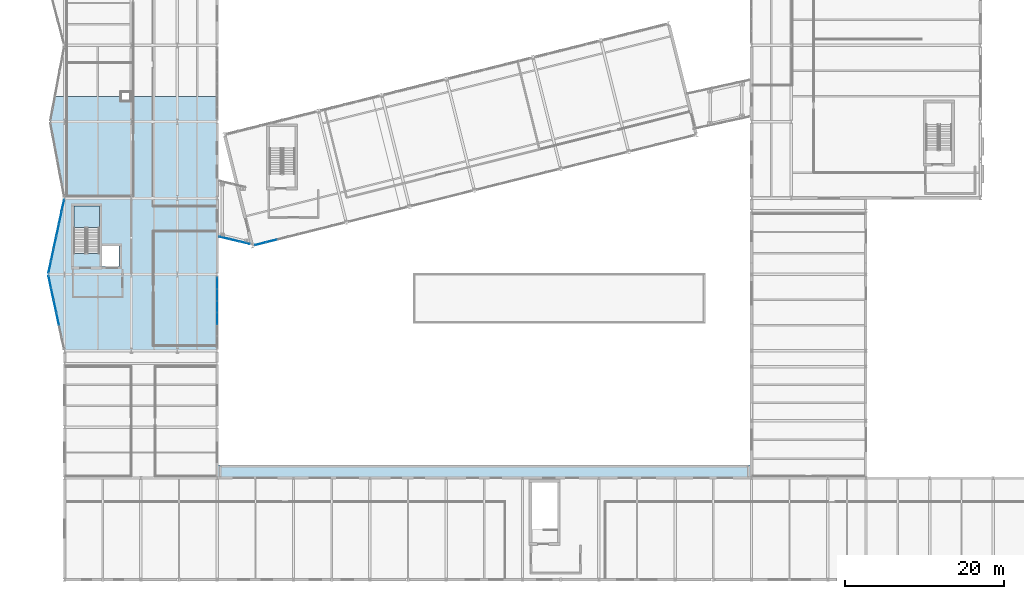
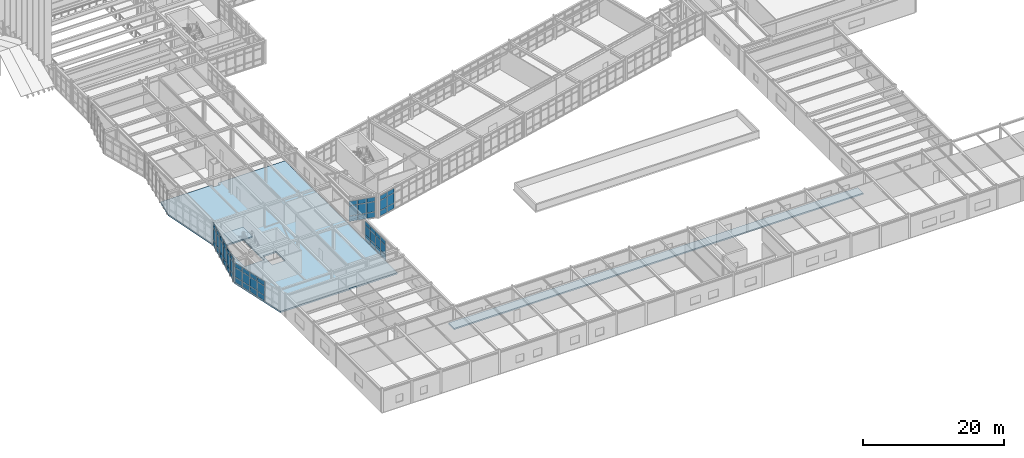
# One storey, part 58 of 99: 57 plates, 3 slabs, 6 elements without a shape of their own.
"""IFC4 building model written with IfcOpenShell, lengths in metres."""

from ifc_helpers import new_model, si_unit, direction, frame, origin, origin_2d, place, context, subcontext, project, spatial, polyline, rectangle, outline, extrude, material, layer, layer_set, type_object, element, aggregate, save


model = new_model("IFC4")

# Units and contexts
model_context = context("Model", 3, precision=1e-05, world=origin(), true_north=direction((0.0, 1.0)))
body_context = subcontext(model_context, "Body", "Model", "MODEL_VIEW")
ifc_project = project(units=[si_unit("LENGTHUNIT", "METRE"), si_unit("AREAUNIT", "SQUARE_METRE"), si_unit("VOLUMEUNIT", "CUBIC_METRE"), si_unit("PLANEANGLEUNIT", "RADIAN"), si_unit("MASSUNIT", "GRAM", prefix="KILO")], contexts=[model_context])

# Site, building, storey
site_placement = place(None, origin())
site = spatial("IfcSite", under=ifc_project, at=site_placement, CompositionType="ELEMENT")
building_placement = place(site_placement, origin())
building = spatial("IfcBuilding", under=site, at=building_placement, Name="Nordkorset Police Headquarters", CompositionType="ELEMENT")
storey_placement = place(building_placement, frame((0.0, 0.0, 5.25)))
storey = spatial("IfcBuildingStorey", under=building, at=storey_placement, Name="L01", CompositionType="ELEMENT", Elevation=5.25)

# Curtain wall, plates
ifc_material_1 = material(Name="Aluminium alloy AW-6060", Category="aluminium")
ifc_layer_1 = layer(ifc_material_1, 0.179931640625, Name="Aluminium alloy AW-6060")
ifc_layer_set_1 = layer_set([ifc_layer_1], Name="Aluminium alloy AW-6060")
curtain_wall_type_1 = type_object("IfcCurtainWallType", Name="CW_Unit_954x350", PredefinedType="USERDEFINED", material=ifc_layer_set_1)
curtain_wall_1_placement = place(storey_placement, origin())
curtain_wall_1 = element("IfcCurtainWall", 1, at=curtain_wall_1_placement, inside=storey, type_object=curtain_wall_type_1, Name="Unitised Curtain Wall L01 V3W-0", ObjectType="UNITISED CURTAIN WALL", PredefinedType="USERDEFINED")
ifc_material_2 = material(Name="Low-iron triple glazing", Category="glass")
ifc_layer_2 = layer(ifc_material_2, 0.035888671875, Name="Low-iron triple glazing")
ifc_layer_set_2 = layer_set([ifc_layer_2], Name="Low-iron triple glazing")
plate_type = type_object("IfcPlateType", Name="CW_Panel_TripleGlazing_36", PredefinedType="CURTAIN_PANEL", material=ifc_layer_set_2)
plate_1_placement = place(storey_placement, frame((-0.859130859375, 32.82275390625, 0.06494140625), z_axis=(0.0, 0.0, 1.0), x_axis=(-0.208832534289, 0.977951416289, 0.0)))
plate_1 = element("IfcPlate", 2, at=plate_1_placement, type_object=plate_type, Name="CW-63 panel 3.1", PredefinedType="CURTAIN_PANEL", context=body_context, shape_type="SweptSolid", body=[
    extrude(rectangle(XDim=1.5244140625, YDim=0.035888671875, at=origin_2d()), origin(), (0.0, 0.0, 1.0), 0.902587890625),
])
plate_2_placement = place(storey_placement, frame((-0.859130859375, 32.82275390625, 1.032470703125), z_axis=(0.0, 0.0, 1.0), x_axis=(-0.208832534289, 0.977951416289, 0.0)))
plate_2 = element("IfcPlate", 3, at=plate_2_placement, type_object=plate_type, Name="CW-63 panel 3.2", PredefinedType="CURTAIN_PANEL", context=body_context, shape_type="SweptSolid", body=[
    extrude(rectangle(XDim=1.5244140625, YDim=0.035888671875, at=origin_2d()), origin(), (0.0, 0.0, 1.0), 1.5849609375),
])
plate_3_placement = place(storey_placement, frame((-0.859130859375, 32.82275390625, 2.6826171875), z_axis=(0.0, 0.0, 1.0), x_axis=(-0.208832534289, 0.977951416289, 0.0)))
plate_3 = element("IfcPlate", 4, at=plate_3_placement, type_object=plate_type, Name="CW-63 panel 3.3", PredefinedType="CURTAIN_PANEL", context=body_context, shape_type="SweptSolid", body=[
    extrude(rectangle(XDim=1.5244140625, YDim=0.035888671875, at=origin_2d()), origin(), (0.0, 0.0, 1.0), 0.75244140625),
])
plate_4_placement = place(storey_placement, frame((-1.19091796875, 34.377197265625, 0.06494140625), z_axis=(0.0, 0.0, 1.0), x_axis=(-0.208832534289, 0.977951416289, 0.0)))
plate_4 = element("IfcPlate", 5, at=plate_4_placement, type_object=plate_type, Name="CW-63 panel 4.1", PredefinedType="CURTAIN_PANEL", context=body_context, shape_type="SweptSolid", body=[
    extrude(rectangle(XDim=1.5244140625, YDim=0.035888671875, at=origin_2d()), origin(), (0.0, 0.0, 1.0), 0.902587890625),
])
plate_5_placement = place(storey_placement, frame((-1.19091796875, 34.377197265625, 1.032470703125), z_axis=(0.0, 0.0, 1.0), x_axis=(-0.208832534289, 0.977951416289, 0.0)))
plate_5 = element("IfcPlate", 6, at=plate_5_placement, type_object=plate_type, Name="CW-63 panel 4.2", PredefinedType="CURTAIN_PANEL", context=body_context, shape_type="SweptSolid", body=[
    extrude(rectangle(XDim=1.5244140625, YDim=0.035888671875, at=origin_2d()), origin(), (0.0, 0.0, 1.0), 1.5849609375),
])
plate_6_placement = place(storey_placement, frame((-1.19091796875, 34.377197265625, 2.6826171875), z_axis=(0.0, 0.0, 1.0), x_axis=(-0.208832534289, 0.977951416289, 0.0)))
plate_6 = element("IfcPlate", 7, at=plate_6_placement, type_object=plate_type, Name="CW-63 panel 4.3", PredefinedType="CURTAIN_PANEL", context=body_context, shape_type="SweptSolid", body=[
    extrude(rectangle(XDim=1.5244140625, YDim=0.035888671875, at=origin_2d()), origin(), (0.0, 0.0, 1.0), 0.75244140625),
])
plate_7_placement = place(storey_placement, frame((-1.52294921875, 35.931640625, 0.06494140625), z_axis=(0.0, 0.0, 1.0), x_axis=(-0.208832534289, 0.977951416289, 0.0)))
plate_7 = element("IfcPlate", 8, at=plate_7_placement, type_object=plate_type, Name="CW-63 panel 5.1", PredefinedType="CURTAIN_PANEL", context=body_context, shape_type="SweptSolid", body=[
    extrude(rectangle(XDim=1.5244140625, YDim=0.035888671875, at=origin_2d()), origin(), (0.0, 0.0, 1.0), 0.902587890625),
])
plate_8_placement = place(storey_placement, frame((-1.52294921875, 35.931640625, 1.032470703125), z_axis=(0.0, 0.0, 1.0), x_axis=(-0.208832534289, 0.977951416289, 0.0)))
plate_8 = element("IfcPlate", 9, at=plate_8_placement, type_object=plate_type, Name="CW-63 panel 5.2", PredefinedType="CURTAIN_PANEL", context=body_context, shape_type="SweptSolid", body=[
    extrude(rectangle(XDim=1.5244140625, YDim=0.035888671875, at=origin_2d()), origin(), (0.0, 0.0, 1.0), 1.5849609375),
])
plate_9_placement = place(storey_placement, frame((-1.52294921875, 35.931640625, 2.6826171875), z_axis=(0.0, 0.0, 1.0), x_axis=(-0.208832534289, 0.977951416289, 0.0)))
plate_9 = element("IfcPlate", 10, at=plate_9_placement, type_object=plate_type, Name="CW-63 panel 5.3", PredefinedType="CURTAIN_PANEL", context=body_context, shape_type="SweptSolid", body=[
    extrude(rectangle(XDim=1.5244140625, YDim=0.035888671875, at=origin_2d()), origin(), (0.0, 0.0, 1.0), 0.75244140625),
])
plate_10_placement = place(storey_placement, frame((-1.851318359375, 37.469970703125, 0.06494140625), z_axis=(0.0, 0.0, 1.0), x_axis=(-0.208832534289, 0.977951416289, 0.0)))
plate_10 = element("IfcPlate", 11, at=plate_10_placement, type_object=plate_type, Name="CW-63 panel 6.1", PredefinedType="CURTAIN_PANEL", context=body_context, shape_type="SweptSolid", body=[
    extrude(rectangle(XDim=1.491943359375, YDim=0.035888671875, at=origin_2d()), origin(), (0.0, 0.0, 1.0), 0.902587890625),
])
plate_11_placement = place(storey_placement, frame((-1.851318359375, 37.469970703125, 1.032470703125), z_axis=(0.0, 0.0, 1.0), x_axis=(-0.208832534289, 0.977951416289, 0.0)))
plate_11 = element("IfcPlate", 12, at=plate_11_placement, type_object=plate_type, Name="CW-63 panel 6.2", PredefinedType="CURTAIN_PANEL", context=body_context, shape_type="SweptSolid", body=[
    extrude(rectangle(XDim=1.491943359375, YDim=0.035888671875, at=origin_2d()), origin(), (0.0, 0.0, 1.0), 1.5849609375),
])
plate_12_placement = place(storey_placement, frame((-1.851318359375, 37.469970703125, 2.6826171875), z_axis=(0.0, 0.0, 1.0), x_axis=(-0.208832534289, 0.977951416289, 0.0)))
plate_12 = element("IfcPlate", 13, at=plate_12_placement, type_object=plate_type, Name="CW-63 panel 6.3", PredefinedType="CURTAIN_PANEL", context=body_context, shape_type="SweptSolid", body=[
    extrude(rectangle(XDim=1.491943359375, YDim=0.035888671875, at=origin_2d()), origin(), (0.0, 0.0, 1.0), 0.75244140625),
])
aggregate(curtain_wall_1, [plate_1, plate_2, plate_3, plate_4, plate_5, plate_6, plate_7, plate_8, plate_9, plate_10, plate_11, plate_12])

ifc_material_3 = material(Name="Aluminium alloy AW-6060", Category="aluminium")
ifc_layer_3 = layer(ifc_material_3, 0.179931640625, Name="Aluminium alloy AW-6060")
ifc_layer_set_3 = layer_set([ifc_layer_3], Name="Aluminium alloy AW-6060")
curtain_wall_type_2 = type_object("IfcCurtainWallType", Name="CW_Unit_888x350", PredefinedType="USERDEFINED", material=ifc_layer_set_3)
curtain_wall_2_placement = place(storey_placement, origin())
curtain_wall_2 = element("IfcCurtainWall", 14, at=curtain_wall_2_placement, inside=storey, type_object=curtain_wall_type_2, Name="Unitised Curtain Wall L01 V3E-0", ObjectType="UNITISED CURTAIN WALL", PredefinedType="USERDEFINED")
plate_13_placement = place(storey_placement, frame((19.199951171875, 32.860107421875, 0.06494140625), z_axis=(0.0, 0.0, 1.0), x_axis=(0.0, 1.0, 0.0)))
plate_13 = element("IfcPlate", 15, at=plate_13_placement, type_object=plate_type, Name="CW-95 panel 3.1", PredefinedType="CURTAIN_PANEL", context=body_context, shape_type="SweptSolid", body=[
    extrude(rectangle(XDim=1.4150390625, YDim=0.035888671875, at=origin_2d()), origin(), (0.0, 0.0, 1.0), 0.902587890625),
])
plate_14_placement = place(storey_placement, frame((19.199951171875, 32.860107421875, 1.032470703125), z_axis=(0.0, 0.0, 1.0), x_axis=(0.0, 1.0, 0.0)))
plate_14 = element("IfcPlate", 16, at=plate_14_placement, type_object=plate_type, Name="CW-95 panel 3.2", PredefinedType="CURTAIN_PANEL", context=body_context, shape_type="SweptSolid", body=[
    extrude(rectangle(XDim=1.4150390625, YDim=0.035888671875, at=origin_2d()), origin(), (0.0, 0.0, 1.0), 1.5849609375),
])
plate_15_placement = place(storey_placement, frame((19.199951171875, 32.860107421875, 2.6826171875), z_axis=(0.0, 0.0, 1.0), x_axis=(0.0, 1.0, 0.0)))
plate_15 = element("IfcPlate", 17, at=plate_15_placement, type_object=plate_type, Name="CW-95 panel 3.3", PredefinedType="CURTAIN_PANEL", context=body_context, shape_type="SweptSolid", body=[
    extrude(rectangle(XDim=1.4150390625, YDim=0.035888671875, at=origin_2d()), origin(), (0.0, 0.0, 1.0), 0.75244140625),
])
plate_16_placement = place(storey_placement, frame((19.199951171875, 34.340087890625, 0.06494140625), z_axis=(0.0, 0.0, 1.0), x_axis=(0.0, 1.0, 0.0)))
plate_16 = element("IfcPlate", 18, at=plate_16_placement, type_object=plate_type, Name="CW-95 panel 4.1", PredefinedType="CURTAIN_PANEL", context=body_context, shape_type="SweptSolid", body=[
    extrude(rectangle(XDim=1.4150390625, YDim=0.035888671875, at=origin_2d()), origin(), (0.0, 0.0, 1.0), 0.902587890625),
])
plate_17_placement = place(storey_placement, frame((19.199951171875, 34.340087890625, 1.032470703125), z_axis=(0.0, 0.0, 1.0), x_axis=(0.0, 1.0, 0.0)))
plate_17 = element("IfcPlate", 19, at=plate_17_placement, type_object=plate_type, Name="CW-95 panel 4.2", PredefinedType="CURTAIN_PANEL", context=body_context, shape_type="SweptSolid", body=[
    extrude(rectangle(XDim=1.4150390625, YDim=0.035888671875, at=origin_2d()), origin(), (0.0, 0.0, 1.0), 1.5849609375),
])
plate_18_placement = place(storey_placement, frame((19.199951171875, 34.340087890625, 2.6826171875), z_axis=(0.0, 0.0, 1.0), x_axis=(0.0, 1.0, 0.0)))
plate_18 = element("IfcPlate", 20, at=plate_18_placement, type_object=plate_type, Name="CW-95 panel 4.3", PredefinedType="CURTAIN_PANEL", context=body_context, shape_type="SweptSolid", body=[
    extrude(rectangle(XDim=1.4150390625, YDim=0.035888671875, at=origin_2d()), origin(), (0.0, 0.0, 1.0), 0.75244140625),
])
plate_19_placement = place(storey_placement, frame((19.199951171875, 35.820068359375, 0.06494140625), z_axis=(0.0, 0.0, 1.0), x_axis=(0.0, 1.0, 0.0)))
plate_19 = element("IfcPlate", 21, at=plate_19_placement, type_object=plate_type, Name="CW-95 panel 5.1", PredefinedType="CURTAIN_PANEL", context=body_context, shape_type="SweptSolid", body=[
    extrude(rectangle(XDim=1.4150390625, YDim=0.035888671875, at=origin_2d()), origin(), (0.0, 0.0, 1.0), 0.902587890625),
])
plate_20_placement = place(storey_placement, frame((19.199951171875, 35.820068359375, 1.032470703125), z_axis=(0.0, 0.0, 1.0), x_axis=(0.0, 1.0, 0.0)))
plate_20 = element("IfcPlate", 22, at=plate_20_placement, type_object=plate_type, Name="CW-95 panel 5.2", PredefinedType="CURTAIN_PANEL", context=body_context, shape_type="SweptSolid", body=[
    extrude(rectangle(XDim=1.4150390625, YDim=0.035888671875, at=origin_2d()), origin(), (0.0, 0.0, 1.0), 1.5849609375),
])
plate_21_placement = place(storey_placement, frame((19.199951171875, 35.820068359375, 2.6826171875), z_axis=(0.0, 0.0, 1.0), x_axis=(0.0, 1.0, 0.0)))
plate_21 = element("IfcPlate", 23, at=plate_21_placement, type_object=plate_type, Name="CW-95 panel 5.3", PredefinedType="CURTAIN_PANEL", context=body_context, shape_type="SweptSolid", body=[
    extrude(rectangle(XDim=1.4150390625, YDim=0.035888671875, at=origin_2d()), origin(), (0.0, 0.0, 1.0), 0.75244140625),
])
plate_22_placement = place(storey_placement, frame((19.199951171875, 37.28369140625, 0.06494140625), z_axis=(0.0, 0.0, 1.0), x_axis=(0.0, 1.0, 0.0)))
plate_22 = element("IfcPlate", 24, at=plate_22_placement, type_object=plate_type, Name="CW-95 panel 6.1", PredefinedType="CURTAIN_PANEL", context=body_context, shape_type="SweptSolid", body=[
    extrude(rectangle(XDim=1.382568359375, YDim=0.035888671875, at=origin_2d()), origin(), (0.0, 0.0, 1.0), 0.902587890625),
])
plate_23_placement = place(storey_placement, frame((19.199951171875, 37.28369140625, 1.032470703125), z_axis=(0.0, 0.0, 1.0), x_axis=(0.0, 1.0, 0.0)))
plate_23 = element("IfcPlate", 25, at=plate_23_placement, type_object=plate_type, Name="CW-95 panel 6.2", PredefinedType="CURTAIN_PANEL", context=body_context, shape_type="SweptSolid", body=[
    extrude(rectangle(XDim=1.382568359375, YDim=0.035888671875, at=origin_2d()), origin(), (0.0, 0.0, 1.0), 1.5849609375),
])
plate_24_placement = place(storey_placement, frame((19.199951171875, 37.28369140625, 2.6826171875), z_axis=(0.0, 0.0, 1.0), x_axis=(0.0, 1.0, 0.0)))
plate_24 = element("IfcPlate", 26, at=plate_24_placement, type_object=plate_type, Name="CW-95 panel 6.3", PredefinedType="CURTAIN_PANEL", context=body_context, shape_type="SweptSolid", body=[
    extrude(rectangle(XDim=1.382568359375, YDim=0.035888671875, at=origin_2d()), origin(), (0.0, 0.0, 1.0), 0.75244140625),
])
aggregate(curtain_wall_2, [plate_13, plate_14, plate_15, plate_16, plate_17, plate_18, plate_19, plate_20, plate_21, plate_22, plate_23, plate_24])

ifc_material_4 = material(Name="Aluminium alloy AW-6060", Category="aluminium")
ifc_layer_4 = layer(ifc_material_4, 0.179931640625, Name="Aluminium alloy AW-6060")
ifc_layer_set_4 = layer_set([ifc_layer_4], Name="Aluminium alloy AW-6060")
curtain_wall_type_3 = type_object("IfcCurtainWallType", Name="CW_Unit_954x392", PredefinedType="USERDEFINED", material=ifc_layer_set_4)
curtain_wall_3_placement = place(storey_placement, origin())
curtain_wall_3 = element("IfcCurtainWall", 27, at=curtain_wall_3_placement, inside=storey, type_object=curtain_wall_type_3, Name="Unitised Curtain Wall L01 V3W-1", ObjectType="UNITISED CURTAIN WALL", PredefinedType="USERDEFINED")
plate_25_placement = place(storey_placement, frame((-1.851318359375, 39.330078125, 0.06494140625), z_axis=(0.0, 0.0, 1.0), x_axis=(0.208832534289, 0.977951416289, 0.0)))
plate_25 = element("IfcPlate", 28, at=plate_25_placement, type_object=plate_type, Name="CW-20 panel 1.1", PredefinedType="CURTAIN_PANEL", context=body_context, shape_type="SweptSolid", body=[
    extrude(rectangle(XDim=1.491943359375, YDim=0.035888671875, at=origin_2d()), origin(), (0.0, 0.0, 1.0), 0.902587890625),
])
plate_26_placement = place(storey_placement, frame((-1.851318359375, 39.330078125, 1.032470703125), z_axis=(0.0, 0.0, 1.0), x_axis=(0.208832534289, 0.977951416289, 0.0)))
plate_26 = element("IfcPlate", 29, at=plate_26_placement, type_object=plate_type, Name="CW-20 panel 1.2", PredefinedType="CURTAIN_PANEL", context=body_context, shape_type="SweptSolid", body=[
    extrude(rectangle(XDim=1.491943359375, YDim=0.035888671875, at=origin_2d()), origin(), (0.0, 0.0, 1.0), 2.0048828125),
])
plate_27_placement = place(storey_placement, frame((-1.851318359375, 39.330078125, 3.1025390625), z_axis=(0.0, 0.0, 1.0), x_axis=(0.208832534289, 0.977951416289, 0.0)))
plate_27 = element("IfcPlate", 30, at=plate_27_placement, type_object=plate_type, Name="CW-20 panel 1.3", PredefinedType="CURTAIN_PANEL", context=body_context, shape_type="SweptSolid", body=[
    extrude(rectangle(XDim=1.491943359375, YDim=0.035888671875, at=origin_2d()), origin(), (0.0, 0.0, 1.0), 0.75244140625),
])
plate_28_placement = place(storey_placement, frame((-1.52294921875, 40.868408203125, 0.06494140625), z_axis=(0.0, 0.0, 1.0), x_axis=(0.208832534289, 0.977951416289, 0.0)))
plate_28 = element("IfcPlate", 31, at=plate_28_placement, type_object=plate_type, Name="CW-20 panel 2.1", PredefinedType="CURTAIN_PANEL", context=body_context, shape_type="SweptSolid", body=[
    extrude(rectangle(XDim=1.5244140625, YDim=0.035888671875, at=origin_2d()), origin(), (0.0, 0.0, 1.0), 0.902587890625),
])
plate_29_placement = place(storey_placement, frame((-1.52294921875, 40.868408203125, 1.032470703125), z_axis=(0.0, 0.0, 1.0), x_axis=(0.208832534289, 0.977951416289, 0.0)))
plate_29 = element("IfcPlate", 32, at=plate_29_placement, type_object=plate_type, Name="CW-20 panel 2.2", PredefinedType="CURTAIN_PANEL", context=body_context, shape_type="SweptSolid", body=[
    extrude(rectangle(XDim=1.5244140625, YDim=0.035888671875, at=origin_2d()), origin(), (0.0, 0.0, 1.0), 2.0048828125),
])
plate_30_placement = place(storey_placement, frame((-1.52294921875, 40.868408203125, 3.1025390625), z_axis=(0.0, 0.0, 1.0), x_axis=(0.208832534289, 0.977951416289, 0.0)))
plate_30 = element("IfcPlate", 33, at=plate_30_placement, type_object=plate_type, Name="CW-20 panel 2.3", PredefinedType="CURTAIN_PANEL", context=body_context, shape_type="SweptSolid", body=[
    extrude(rectangle(XDim=1.5244140625, YDim=0.035888671875, at=origin_2d()), origin(), (0.0, 0.0, 1.0), 0.75244140625),
])
plate_31_placement = place(storey_placement, frame((-1.19091796875, 42.4228515625, 0.06494140625), z_axis=(0.0, 0.0, 1.0), x_axis=(0.208832534289, 0.977951416289, 0.0)))
plate_31 = element("IfcPlate", 34, at=plate_31_placement, type_object=plate_type, Name="CW-20 panel 3.1", PredefinedType="CURTAIN_PANEL", context=body_context, shape_type="SweptSolid", body=[
    extrude(rectangle(XDim=1.5244140625, YDim=0.035888671875, at=origin_2d()), origin(), (0.0, 0.0, 1.0), 0.902587890625),
])
plate_32_placement = place(storey_placement, frame((-1.19091796875, 42.4228515625, 1.032470703125), z_axis=(0.0, 0.0, 1.0), x_axis=(0.208832534289, 0.977951416289, 0.0)))
plate_32 = element("IfcPlate", 35, at=plate_32_placement, type_object=plate_type, Name="CW-20 panel 3.2", PredefinedType="CURTAIN_PANEL", context=body_context, shape_type="SweptSolid", body=[
    extrude(rectangle(XDim=1.5244140625, YDim=0.035888671875, at=origin_2d()), origin(), (0.0, 0.0, 1.0), 2.0048828125),
])
plate_33_placement = place(storey_placement, frame((-1.19091796875, 42.4228515625, 3.1025390625), z_axis=(0.0, 0.0, 1.0), x_axis=(0.208832534289, 0.977951416289, 0.0)))
plate_33 = element("IfcPlate", 36, at=plate_33_placement, type_object=plate_type, Name="CW-20 panel 3.3", PredefinedType="CURTAIN_PANEL", context=body_context, shape_type="SweptSolid", body=[
    extrude(rectangle(XDim=1.5244140625, YDim=0.035888671875, at=origin_2d()), origin(), (0.0, 0.0, 1.0), 0.75244140625),
])
plate_34_placement = place(storey_placement, frame((-0.859130859375, 43.977294921875, 0.06494140625), z_axis=(0.0, 0.0, 1.0), x_axis=(0.208832534289, 0.977951416289, 0.0)))
plate_34 = element("IfcPlate", 37, at=plate_34_placement, type_object=plate_type, Name="CW-20 panel 4.1", PredefinedType="CURTAIN_PANEL", context=body_context, shape_type="SweptSolid", body=[
    extrude(rectangle(XDim=1.5244140625, YDim=0.035888671875, at=origin_2d()), origin(), (0.0, 0.0, 1.0), 0.902587890625),
])
plate_35_placement = place(storey_placement, frame((-0.859130859375, 43.977294921875, 1.032470703125), z_axis=(0.0, 0.0, 1.0), x_axis=(0.208832534289, 0.977951416289, 0.0)))
plate_35 = element("IfcPlate", 38, at=plate_35_placement, type_object=plate_type, Name="CW-20 panel 4.2", PredefinedType="CURTAIN_PANEL", context=body_context, shape_type="SweptSolid", body=[
    extrude(rectangle(XDim=1.5244140625, YDim=0.035888671875, at=origin_2d()), origin(), (0.0, 0.0, 1.0), 2.0048828125),
])
plate_36_placement = place(storey_placement, frame((-0.859130859375, 43.977294921875, 3.1025390625), z_axis=(0.0, 0.0, 1.0), x_axis=(0.208832534289, 0.977951416289, 0.0)))
plate_36 = element("IfcPlate", 39, at=plate_36_placement, type_object=plate_type, Name="CW-20 panel 4.3", PredefinedType="CURTAIN_PANEL", context=body_context, shape_type="SweptSolid", body=[
    extrude(rectangle(XDim=1.5244140625, YDim=0.035888671875, at=origin_2d()), origin(), (0.0, 0.0, 1.0), 0.75244140625),
])
plate_37_placement = place(storey_placement, frame((-0.527099609375, 45.531494140625, 0.06494140625), z_axis=(0.0, 0.0, 1.0), x_axis=(0.208832534289, 0.977951416289, 0.0)))
plate_37 = element("IfcPlate", 40, at=plate_37_placement, type_object=plate_type, Name="CW-20 panel 5.1", PredefinedType="CURTAIN_PANEL", context=body_context, shape_type="SweptSolid", body=[
    extrude(rectangle(XDim=1.5244140625, YDim=0.035888671875, at=origin_2d()), origin(), (0.0, 0.0, 1.0), 0.902587890625),
])
plate_38_placement = place(storey_placement, frame((-0.527099609375, 45.531494140625, 1.032470703125), z_axis=(0.0, 0.0, 1.0), x_axis=(0.208832534289, 0.977951416289, 0.0)))
plate_38 = element("IfcPlate", 41, at=plate_38_placement, type_object=plate_type, Name="CW-20 panel 5.2", PredefinedType="CURTAIN_PANEL", context=body_context, shape_type="SweptSolid", body=[
    extrude(rectangle(XDim=1.5244140625, YDim=0.035888671875, at=origin_2d()), origin(), (0.0, 0.0, 1.0), 2.0048828125),
])
plate_39_placement = place(storey_placement, frame((-0.527099609375, 45.531494140625, 3.1025390625), z_axis=(0.0, 0.0, 1.0), x_axis=(0.208832534289, 0.977951416289, 0.0)))
plate_39 = element("IfcPlate", 42, at=plate_39_placement, type_object=plate_type, Name="CW-20 panel 5.3", PredefinedType="CURTAIN_PANEL", context=body_context, shape_type="SweptSolid", body=[
    extrude(rectangle(XDim=1.5244140625, YDim=0.035888671875, at=origin_2d()), origin(), (0.0, 0.0, 1.0), 0.75244140625),
])
plate_40_placement = place(storey_placement, frame((-0.198486328125, 47.070068359375, 0.06494140625), z_axis=(0.0, 0.0, 1.0), x_axis=(0.208832534289, 0.977951416289, 0.0)))
plate_40 = element("IfcPlate", 43, at=plate_40_placement, type_object=plate_type, Name="CW-20 panel 6.1", PredefinedType="CURTAIN_PANEL", context=body_context, shape_type="SweptSolid", body=[
    extrude(rectangle(XDim=1.491943359375, YDim=0.035888671875, at=origin_2d()), origin(), (0.0, 0.0, 1.0), 0.902587890625),
])
plate_41_placement = place(storey_placement, frame((-0.198486328125, 47.070068359375, 1.032470703125), z_axis=(0.0, 0.0, 1.0), x_axis=(0.208832534289, 0.977951416289, 0.0)))
plate_41 = element("IfcPlate", 44, at=plate_41_placement, type_object=plate_type, Name="CW-20 panel 6.2", PredefinedType="CURTAIN_PANEL", context=body_context, shape_type="SweptSolid", body=[
    extrude(rectangle(XDim=1.491943359375, YDim=0.035888671875, at=origin_2d()), origin(), (0.0, 0.0, 1.0), 2.0048828125),
])
plate_42_placement = place(storey_placement, frame((-0.198486328125, 47.070068359375, 3.1025390625), z_axis=(0.0, 0.0, 1.0), x_axis=(0.208832534289, 0.977951416289, 0.0)))
plate_42 = element("IfcPlate", 45, at=plate_42_placement, type_object=plate_type, Name="CW-20 panel 6.3", PredefinedType="CURTAIN_PANEL", context=body_context, shape_type="SweptSolid", body=[
    extrude(rectangle(XDim=1.491943359375, YDim=0.035888671875, at=origin_2d()), origin(), (0.0, 0.0, 1.0), 0.75244140625),
])
aggregate(curtain_wall_3, [plate_25, plate_26, plate_27, plate_28, plate_29, plate_30, plate_31, plate_32, plate_33, plate_34, plate_35, plate_36, plate_37, plate_38, plate_39, plate_40, plate_41, plate_42])

ifc_material_5 = material(Name="Aluminium alloy AW-6060", Category="aluminium")
ifc_layer_5 = layer(ifc_material_5, 0.179931640625, Name="Aluminium alloy AW-6060")
ifc_layer_set_5 = layer_set([ifc_layer_5], Name="Aluminium alloy AW-6060")
curtain_wall_type_4 = type_object("IfcCurtainWallType", Name="CW_Unit_1156x363", PredefinedType="USERDEFINED", material=ifc_layer_set_5)
curtain_wall_4_placement = place(storey_placement, origin())
curtain_wall_4 = element("IfcCurtainWall", 46, at=curtain_wall_4_placement, inside=storey, type_object=curtain_wall_type_4, Name="Unitised Curtain Wall L01 V4S-0", ObjectType="UNITISED CURTAIN WALL", PredefinedType="USERDEFINED")
plate_43_placement = place(storey_placement, frame((24.627197265625, 42.2568359375, 0.06494140625), z_axis=(0.0, 0.0, 1.0), x_axis=(0.970142500145, 0.242535625038, 0.0)))
plate_43 = element("IfcPlate", 47, at=plate_43_placement, type_object=plate_type, Name="CW-01 panel 1.1", PredefinedType="CURTAIN_PANEL", context=body_context, shape_type="SweptSolid", body=[
    extrude(rectangle(XDim=1.347412109375, YDim=0.035888671875, at=origin_2d()), origin(), (0.0, 0.0, 1.0), 0.902587890625),
])
plate_44_placement = place(storey_placement, frame((24.627197265625, 42.2568359375, 1.0322265625), z_axis=(0.0, 0.0, 1.0), x_axis=(0.970142500145, 0.242535625038, 0.0)))
plate_44 = element("IfcPlate", 48, at=plate_44_placement, type_object=plate_type, Name="CW-01 panel 1.2", PredefinedType="CURTAIN_PANEL", context=body_context, shape_type="SweptSolid", body=[
    extrude(rectangle(XDim=1.347412109375, YDim=0.035888671875, at=origin_2d()), origin(), (0.0, 0.0, 1.0), 1.715087890625),
])
plate_45_placement = place(storey_placement, frame((24.627197265625, 42.2568359375, 2.8125), z_axis=(0.0, 0.0, 1.0), x_axis=(0.970142500145, 0.242535625038, 0.0)))
plate_45 = element("IfcPlate", 49, at=plate_45_placement, type_object=plate_type, Name="CW-01 panel 1.3", PredefinedType="CURTAIN_PANEL", context=body_context, shape_type="SweptSolid", body=[
    extrude(rectangle(XDim=1.347412109375, YDim=0.035888671875, at=origin_2d()), origin(), (0.0, 0.0, 1.0), 0.75244140625),
])
plate_46_placement = place(storey_placement, frame((26.01318359375, 42.603271484375, 0.06494140625), z_axis=(0.0, 0.0, 1.0), x_axis=(0.970142500145, 0.242535625038, 0.0)))
plate_46 = element("IfcPlate", 50, at=plate_46_placement, type_object=plate_type, Name="CW-01 panel 2.1", PredefinedType="CURTAIN_PANEL", context=body_context, shape_type="SweptSolid", body=[
    extrude(rectangle(XDim=1.3798828125, YDim=0.035888671875, at=origin_2d()), origin(), (0.0, 0.0, 1.0), 0.902587890625),
])
plate_47_placement = place(storey_placement, frame((26.01318359375, 42.603271484375, 1.0322265625), z_axis=(0.0, 0.0, 1.0), x_axis=(0.970142500145, 0.242535625038, 0.0)))
plate_47 = element("IfcPlate", 51, at=plate_47_placement, type_object=plate_type, Name="CW-01 panel 2.2", PredefinedType="CURTAIN_PANEL", context=body_context, shape_type="SweptSolid", body=[
    extrude(rectangle(XDim=1.3798828125, YDim=0.035888671875, at=origin_2d()), origin(), (0.0, 0.0, 1.0), 1.715087890625),
])
plate_48_placement = place(storey_placement, frame((26.01318359375, 42.603271484375, 2.8125), z_axis=(0.0, 0.0, 1.0), x_axis=(0.970142500145, 0.242535625038, 0.0)))
plate_48 = element("IfcPlate", 52, at=plate_48_placement, type_object=plate_type, Name="CW-01 panel 2.3", PredefinedType="CURTAIN_PANEL", context=body_context, shape_type="SweptSolid", body=[
    extrude(rectangle(XDim=1.3798828125, YDim=0.035888671875, at=origin_2d()), origin(), (0.0, 0.0, 1.0), 0.75244140625),
])
aggregate(curtain_wall_4, [plate_43, plate_44, plate_45, plate_46, plate_47, plate_48])

ifc_material_6 = material(Name="Aluminium alloy AW-6060", Category="aluminium")
ifc_layer_6 = layer(ifc_material_6, 0.179931640625, Name="Aluminium alloy AW-6060")
ifc_layer_set_6 = layer_set([ifc_layer_6], Name="Aluminium alloy AW-6060")
curtain_wall_type_5 = type_object("IfcCurtainWallType", Name="CW_Unit_401x364", PredefinedType="USERDEFINED", material=ifc_layer_set_6)
curtain_wall_5_placement = place(storey_placement, origin())
curtain_wall_5 = element("IfcCurtainWall", 53, at=curtain_wall_5_placement, inside=storey, type_object=curtain_wall_type_5, Name="Unitised Curtain Wall L01 BRGW-S", ObjectType="UNITISED CURTAIN WALL", PredefinedType="USERDEFINED")
plate_49_placement = place(storey_placement, frame((20.0908203125, 42.990234375, 0.06494140625), z_axis=(0.0, 0.0, 1.0), x_axis=(0.972904739966, -0.231206329825, 0.0)))
plate_49 = element("IfcPlate", 54, at=plate_49_placement, type_object=plate_type, Name="CW-14 panel 1.1", PredefinedType="CURTAIN_PANEL", context=body_context, shape_type="SweptSolid", body=[
    extrude(rectangle(XDim=1.238525390625, YDim=0.035888671875, at=origin_2d()), origin(), (0.0, 0.0, 1.0), 0.902587890625),
])
plate_50_placement = place(storey_placement, frame((20.0908203125, 42.990234375, 1.03271484375), z_axis=(0.0, 0.0, 1.0), x_axis=(0.972904739966, -0.231206329825, 0.0)))
plate_50 = element("IfcPlate", 55, at=plate_50_placement, type_object=plate_type, Name="CW-14 panel 1.2", PredefinedType="CURTAIN_PANEL", context=body_context, shape_type="SweptSolid", body=[
    extrude(rectangle(XDim=1.238525390625, YDim=0.035888671875, at=origin_2d()), origin(), (0.0, 0.0, 1.0), 1.719970703125),
])
plate_51_placement = place(storey_placement, frame((20.0908203125, 42.990234375, 2.817626953125), z_axis=(0.0, 0.0, 1.0), x_axis=(0.972904739966, -0.231206329825, 0.0)))
plate_51 = element("IfcPlate", 56, at=plate_51_placement, type_object=plate_type, Name="CW-14 panel 1.3", PredefinedType="CURTAIN_PANEL", context=body_context, shape_type="SweptSolid", body=[
    extrude(rectangle(XDim=1.238525390625, YDim=0.035888671875, at=origin_2d()), origin(), (0.0, 0.0, 1.0), 0.75244140625),
])
plate_52_placement = place(storey_placement, frame((21.375, 42.68505859375, 0.06494140625), z_axis=(0.0, 0.0, 1.0), x_axis=(0.972904739966, -0.231206329825, 0.0)))
plate_52 = element("IfcPlate", 57, at=plate_52_placement, type_object=plate_type, Name="CW-14 panel 2.1", PredefinedType="CURTAIN_PANEL", context=body_context, shape_type="SweptSolid", body=[
    extrude(rectangle(XDim=1.271240234375, YDim=0.035888671875, at=origin_2d()), origin(), (0.0, 0.0, 1.0), 0.902587890625),
])
plate_53_placement = place(storey_placement, frame((21.375, 42.68505859375, 1.03271484375), z_axis=(0.0, 0.0, 1.0), x_axis=(0.972904739966, -0.231206329825, 0.0)))
plate_53 = element("IfcPlate", 58, at=plate_53_placement, type_object=plate_type, Name="CW-14 panel 2.2", PredefinedType="CURTAIN_PANEL", context=body_context, shape_type="SweptSolid", body=[
    extrude(rectangle(XDim=1.271240234375, YDim=0.035888671875, at=origin_2d()), origin(), (0.0, 0.0, 1.0), 1.719970703125),
])
plate_54_placement = place(storey_placement, frame((21.375, 42.68505859375, 2.817626953125), z_axis=(0.0, 0.0, 1.0), x_axis=(0.972904739966, -0.231206329825, 0.0)))
plate_54 = element("IfcPlate", 59, at=plate_54_placement, type_object=plate_type, Name="CW-14 panel 2.3", PredefinedType="CURTAIN_PANEL", context=body_context, shape_type="SweptSolid", body=[
    extrude(rectangle(XDim=1.271240234375, YDim=0.035888671875, at=origin_2d()), origin(), (0.0, 0.0, 1.0), 0.75244140625),
])
plate_55_placement = place(storey_placement, frame((22.6591796875, 42.3798828125, 0.06494140625), z_axis=(0.0, 0.0, 1.0), x_axis=(0.972904739966, -0.231206329825, 0.0)))
plate_55 = element("IfcPlate", 60, at=plate_55_placement, type_object=plate_type, Name="CW-14 panel 3.1", PredefinedType="CURTAIN_PANEL", context=body_context, shape_type="SweptSolid", body=[
    extrude(rectangle(XDim=1.238525390625, YDim=0.035888671875, at=origin_2d()), origin(), (0.0, 0.0, 1.0), 0.902587890625),
])
plate_56_placement = place(storey_placement, frame((22.6591796875, 42.3798828125, 1.03271484375), z_axis=(0.0, 0.0, 1.0), x_axis=(0.972904739966, -0.231206329825, 0.0)))
plate_56 = element("IfcPlate", 61, at=plate_56_placement, type_object=plate_type, Name="CW-14 panel 3.2", PredefinedType="CURTAIN_PANEL", context=body_context, shape_type="SweptSolid", body=[
    extrude(rectangle(XDim=1.238525390625, YDim=0.035888671875, at=origin_2d()), origin(), (0.0, 0.0, 1.0), 1.719970703125),
])
plate_57_placement = place(storey_placement, frame((22.6591796875, 42.3798828125, 2.817626953125), z_axis=(0.0, 0.0, 1.0), x_axis=(0.972904739966, -0.231206329825, 0.0)))
plate_57 = element("IfcPlate", 62, at=plate_57_placement, type_object=plate_type, Name="CW-14 panel 3.3", PredefinedType="CURTAIN_PANEL", context=body_context, shape_type="SweptSolid", body=[
    extrude(rectangle(XDim=1.238525390625, YDim=0.035888671875, at=origin_2d()), origin(), (0.0, 0.0, 1.0), 0.75244140625),
])
aggregate(curtain_wall_5, [plate_49, plate_50, plate_51, plate_52, plate_53, plate_54, plate_55, plate_56, plate_57])

# Slabs
ifc_material_7 = material(Name="Concrete C35/45", Category="concrete")
ifc_layer_7 = layer(ifc_material_7, 0.25, Name="Concrete C35/45")
ifc_layer_set_7 = layer_set([ifc_layer_7], Name="Concrete C35/45")
slab_type_1 = type_object("IfcSlabType", Name="Slab_Hall_250", PredefinedType="FLOOR", material=ifc_layer_set_7)
slab_1_placement = place(storey_placement, frame((0.0, 0.0, -0.25)))
element("IfcSlab", 63, at=slab_1_placement, inside=storey, type_object=slab_type_1, Name="Composite Floor Slab V3 South L01", PredefinedType="FLOOR", context=body_context, shape_type="SweptSolid", body=[
    extrude(outline(polyline([(0.0, 48.0), (-1.800048828125, 57.60009765625), (-1.199951171875, 60.800048828125), (7.199951171875, 60.800048828125), (7.199951171875, 60.300048828125), (8.199951171875, 60.300048828125), (8.199951171875, 60.800048828125), (19.199951171875, 60.800048828125), (19.199951171875, 28.800048828125), (0.0, 28.800048828125), (-2.050048828125, 38.39990234375), (0.0, 48.0)]), holes=[polyline([(1.175048828125, 46.97509765625), (1.175048828125, 41.028076171875), (4.375, 41.028076171875), (4.375, 46.97509765625), (1.175048828125, 46.97509765625)]), polyline([(6.875, 41.97509765625), (4.72509765625, 41.97509765625), (4.72509765625, 39.375), (6.875, 39.375), (6.875, 41.97509765625)])]), origin(), (0.0, 0.0, 1.0), 0.25),
])
ifc_material_8 = material(Name="Concrete C35/45", Category="concrete")
ifc_layer_8 = layer(ifc_material_8, 0.235107421875, Name="Concrete C35/45")
ifc_layer_set_8 = layer_set([ifc_layer_8], Name="Concrete C35/45")
slab_type_2 = type_object("IfcSlabType", Name="Slab_RoofFlat_235", PredefinedType="ROOF", material=ifc_layer_set_8)
slab_2_placement = place(storey_placement, frame((0.0, 0.0, -0.235107421875)))
element("IfcSlab", 64, at=slab_2_placement, inside=storey, type_object=slab_type_2, Name="Logistics Plinth Lower Setback Roof Strip", PredefinedType="ROOF", context=body_context, shape_type="SweptSolid", body=[
    extrude(outline(polyline([(19.25, 12.81005859375), (86.35009765625, 12.81005859375), (86.35009765625, 14.39990234375), (19.25, 14.39990234375), (19.25, 12.81005859375)])), origin(), (0.0, 0.0, 1.0), 0.235107421875),
])

# Stair, slab
ifc_material_9 = material(Name="Concrete C35/45", Category="concrete")
stair_type = type_object("IfcStairType", Name="ST-42", PredefinedType="HALF_TURN_STAIR", material=ifc_material_9)
stair_placement = place(storey_placement, origin())
stair = element("IfcStair", 65, at=stair_placement, inside=storey, type_object=stair_type, Name="L01 Protected Escape Stair ST-04", PredefinedType="HALF_TURN_STAIR")
ifc_material_10 = material(Name="Concrete C35/45", Category="concrete")
ifc_layer_9 = layer(ifc_material_10, 0.199951171875, Name="Concrete C35/45")
ifc_layer_set_9 = layer_set([ifc_layer_9], Name="Concrete C35/45")
slab_type_3 = type_object("IfcSlabType", Name="Slab_StairLanding_200", PredefinedType="LANDING", material=ifc_layer_set_9)
slab_3_placement = place(storey_placement, frame((0.0, 0.0, 1.89990234375)))
slab_3 = element("IfcSlab", 66, at=slab_3_placement, type_object=slab_type_3, Name="ST-04 landing 1", PredefinedType="LANDING", context=body_context, shape_type="SweptSolid", body=[
    extrude(outline(polyline([(4.375, 44.27001953125), (4.375, 46.97509765625), (1.175048828125, 46.97509765625), (1.175048828125, 44.27001953125), (4.375, 44.27001953125)])), origin(), (0.0, 0.0, 1.0), 0.2001953125),
])
aggregate(stair, [slab_3])

save(model, "model.ifc")
